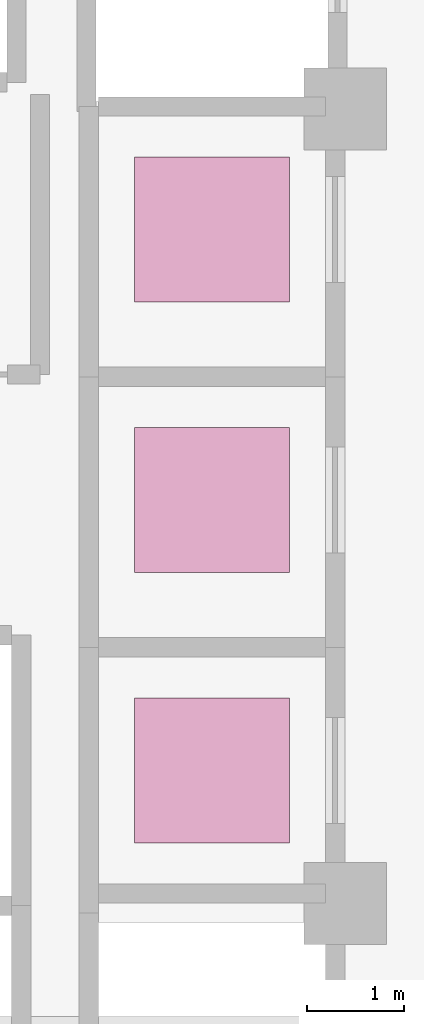
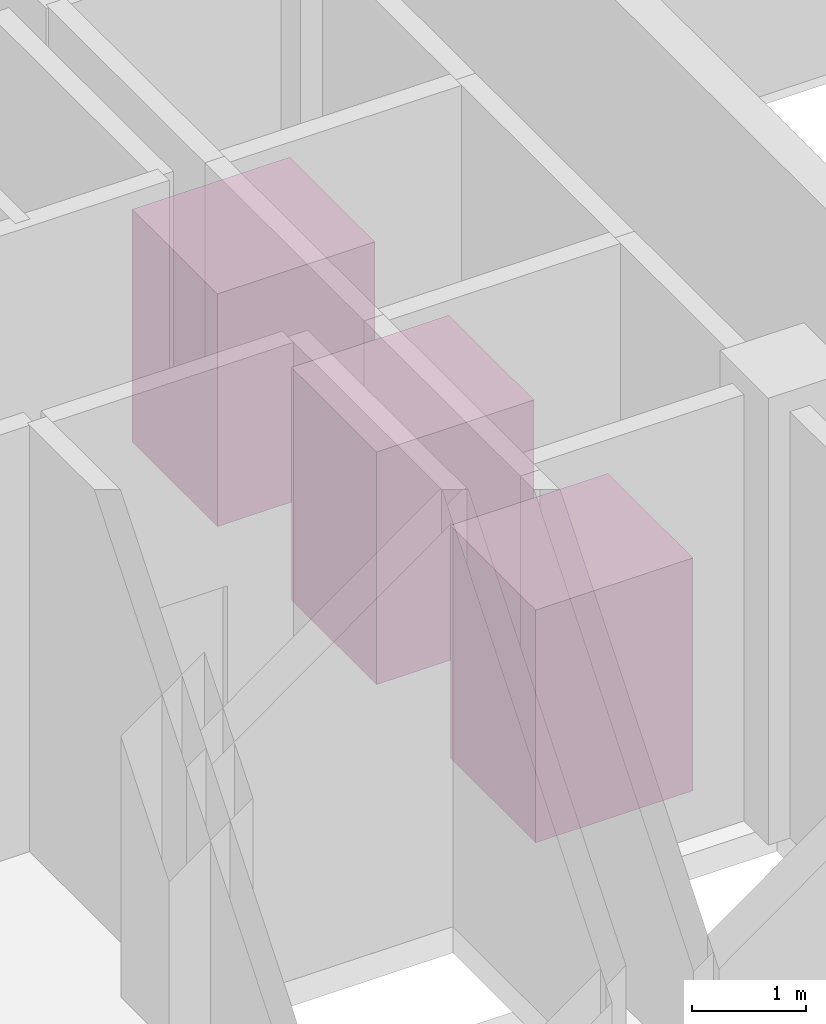
# One storey, part 22 of 22: 3 transport elements.
"""IFC4 building model written with IfcOpenShell, lengths in metres."""

from ifc_helpers import new_model, si_unit, direction, frame, origin, origin_2d, place, context, subcontext, project, spatial, rectangle, extrude, material, type_object, element, save


model = new_model("IFC4")

# Units and contexts
model_context = context("Model", 3, precision=1e-05, world=origin(), true_north=direction((0.0, 1.0)))
body_context = subcontext(model_context, "Body", "Model", "MODEL_VIEW")
ifc_project = project(units=[si_unit("LENGTHUNIT", "METRE"), si_unit("AREAUNIT", "SQUARE_METRE"), si_unit("VOLUMEUNIT", "CUBIC_METRE"), si_unit("PLANEANGLEUNIT", "RADIAN"), si_unit("MASSUNIT", "GRAM", prefix="KILO")], contexts=[model_context])

# Site, building, storey
site_placement = place(None, origin())
site = spatial("IfcSite", under=ifc_project, at=site_placement, CompositionType="ELEMENT")
building_placement = place(site_placement, origin())
building = spatial("IfcBuilding", under=site, at=building_placement, Name="Khorvyn Point Tower", CompositionType="ELEMENT")
storey_placement = place(building_placement, frame((0.0, 0.0, 210.89990234375)))
storey = spatial("IfcBuildingStorey", under=building, at=storey_placement, Name="L52", CompositionType="ELEMENT", Elevation=210.89990234375)

# Transport elements
ifc_material = material(Name="Stainless steel 1.4301 and laminated glass", Category="steel")
transport_element_type = type_object("IfcTransportElementType", Name="High-Speed Gearless Passenger Lift", PredefinedType="ELEVATOR", material=ifc_material)
for number, where, z_axis, x_axis, name in (
    (1, (0.199951171875, -2.800048828125, 0.0), (0.0, 0.0, 1.0), (1.0, 0.0, 0.0), "Passenger Lift RH-01"),
    (2, (0.199951171875, 0.0, 0.0), (0.0, 0.0, 1.0), (1.0, 0.0, 0.0), "Passenger Lift RH-02"),
    (3, (0.199951171875, 2.800048828125, 0.0), (0.0, 0.0, 1.0), (1.0, 0.0, 0.0), "Passenger Lift RH-03"),
):
    element("IfcTransportElement", number, at=place(storey_placement, frame(where, z_axis=z_axis, x_axis=x_axis)), inside=storey, type_object=transport_element_type, Name=name, PredefinedType="ELEVATOR", context=body_context, shape_type="SweptSolid", body=[
        extrude(rectangle(XDim=1.60009765625, YDim=1.5, at=origin_2d()), origin(), (0.0, 0.0, 1.0), 2.5),
    ])

save(model, "model.ifc")
